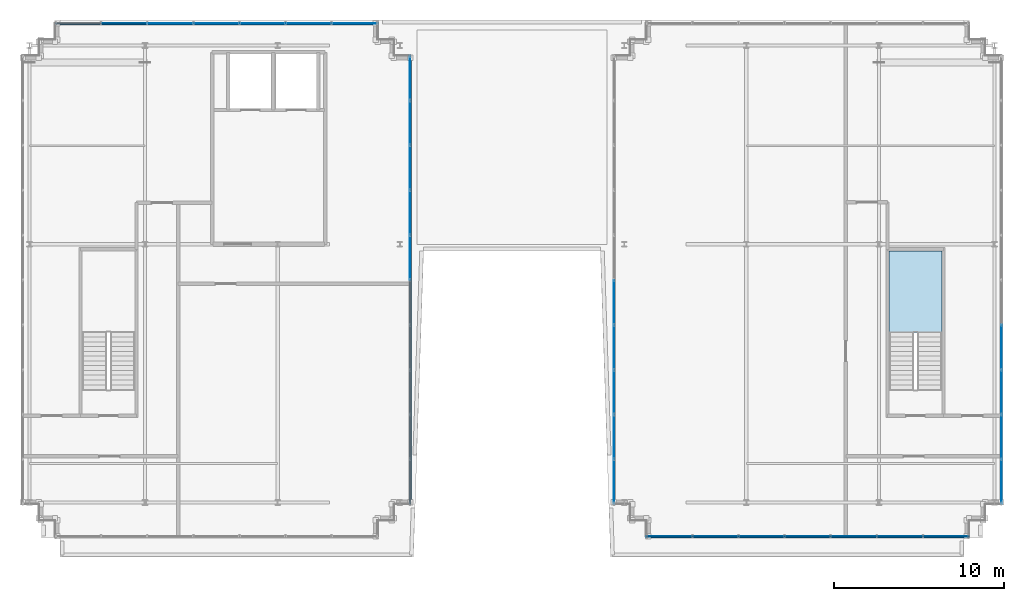
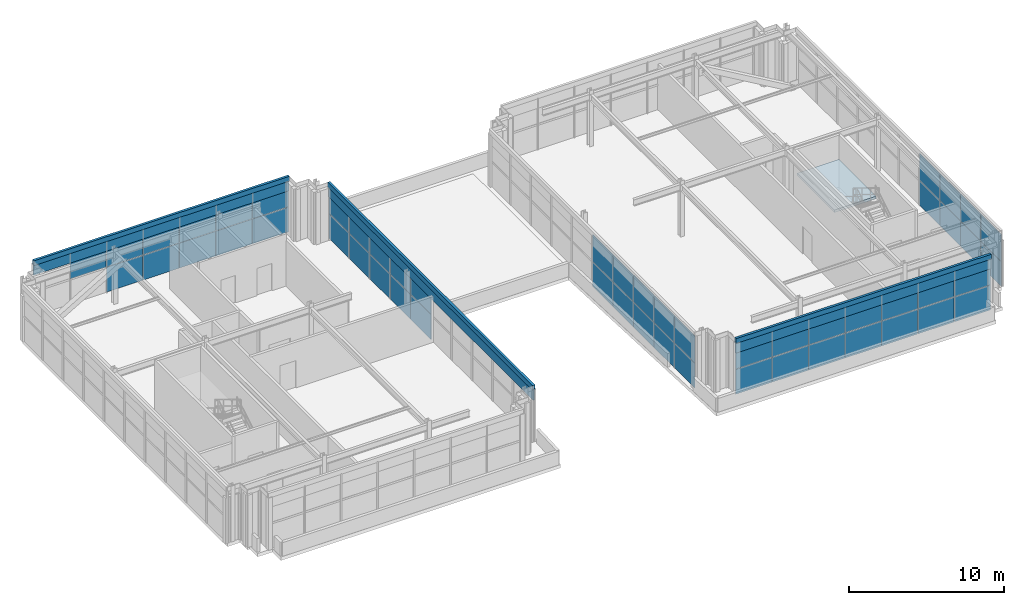
# One storey, part 24 of 31: 59 plates, 1 slab, 6 elements without a shape of their own.
"""IFC4 building model written with IfcOpenShell, lengths in metres."""

from ifc_helpers import new_model, si_unit, direction, frame, origin, origin_2d, place, context, subcontext, project, spatial, polyline, rectangle, outline, extrude, source, transform, mapped, material, layer, layer_set, type_object, element, aggregate, save


model = new_model("IFC4")

# Units and contexts
model_context = context("Model", 3, precision=1e-05, world=origin(), true_north=direction((0.0, 1.0)))
body_context = subcontext(model_context, "Body", "Model", "MODEL_VIEW")
ifc_project = project(units=[si_unit("LENGTHUNIT", "METRE"), si_unit("AREAUNIT", "SQUARE_METRE"), si_unit("VOLUMEUNIT", "CUBIC_METRE"), si_unit("PLANEANGLEUNIT", "RADIAN"), si_unit("MASSUNIT", "GRAM", prefix="KILO")], contexts=[model_context])

# Site, building, storey
site_placement = place(None, origin())
site = spatial("IfcSite", under=ifc_project, at=site_placement, CompositionType="ELEMENT")
building_placement = place(site_placement, origin())
building = spatial("IfcBuilding", under=site, at=building_placement, Name="Trelvane Seafront Commons", CompositionType="ELEMENT")
storey_placement = place(building_placement, frame((0.0, 0.0, 307.89990234375)))
storey = spatial("IfcBuildingStorey", under=building, at=storey_placement, Name="L80", CompositionType="ELEMENT", Elevation=307.89990234375)

# Stair, slab
ifc_material_1 = material(Name="Concrete C40/50", Category="concrete")
stair_type = type_object("IfcStairType", Name="ARCH-STR-ST-6-R26-169", PredefinedType="HALF_TURN_STAIR", material=ifc_material_1)
stair_placement = place(storey_placement, origin())
stair = element("IfcStair", 1, at=stair_placement, inside=storey, type_object=stair_type, Name="L80 Crown East Peak Enclosed Maintenance Exit Stair ST-6", PredefinedType="HALF_TURN_STAIR")
ifc_layer_1 = layer(ifc_material_1, 0.199951171875, Name="ARCH-LND-200")
ifc_layer_set_1 = layer_set([ifc_layer_1], Name="Concrete C40/50")
slab_type = type_object("IfcSlabType", Name="ARCH-LND-200", PredefinedType="LANDING", material=ifc_layer_set_1)
slab_placement = place(storey_placement, frame((0.0, 0.0, 2.0)))
slab = element("IfcSlab", 2, at=slab_placement, type_object=slab_type, Name="ST-6 landing 1", PredefinedType="LANDING", context=body_context, shape_type="SweptSolid", body=[
    extrude(outline(polyline([(62.5, 28.2099609375), (62.5, 33.0), (59.39990234375, 33.0), (59.39990234375, 28.2099609375), (62.5, 28.2099609375)])), origin(), (0.0, 0.0, 1.0), 0.2001953125),
])
aggregate(stair, [slab])

# Curtain wall, plates
ifc_material_2 = material(Name="Anodised pale-silver aluminium", Category="aluminium")
curtain_wall_type = type_object("IfcCurtainWallType", Name="ARCH-CW6-CROWN", PredefinedType="NOTDEFINED", material=ifc_material_2)
curtain_wall_1_placement = place(storey_placement, origin())
curtain_wall_1 = element("IfcCurtainWall", 3, at=curtain_wall_1_placement, inside=storey, type_object=curtain_wall_type, Name="CW-L80-0138", PredefinedType="NOTDEFINED")
ifc_material_3 = material(Name="Low-E coastal double glazing", Category="glass")
ifc_layer_2 = layer(ifc_material_3, 0.033935546875, Name="ARCH-CW-GLAZ-34")
ifc_layer_set_2 = layer_set([ifc_layer_2], Name="Low-E coastal double glazing")
plate_type_1 = type_object("IfcPlateType", Name="ARCH-CW-GLAZ-34", PredefinedType="CURTAIN_PANEL", material=ifc_layer_set_2)
shared_shape_1 = source(origin(), body_context, "Body", "SweptSolid", [
    extrude(rectangle(XDim=2.615966796875, YDim=0.031982421875, at=origin_2d()), origin(), (0.0, 0.0, 1.0), 1.949951171875),
])
plate_1_placement = place(storey_placement, frame((31.199951171875, 43.179931640625, 0.0), z_axis=(0.0, 0.0, 1.0), x_axis=(0.0, -1.0, 0.0)))
plate_1 = element("IfcPlate", 4, at=plate_1_placement, type_object=plate_type_1, Name="CW-L80-0138-P00-1", PredefinedType="CURTAIN_PANEL", context=body_context, shape_type="MappedRepresentation", body=[
    mapped(shared_shape_1, transform((0.0, 0.0, 0.0), x_axis=(1.0, 0.0, 0.0), y_axis=(0.0, 1.0, 0.0), z_axis=(0.0, 0.0, 1.0), scale=1.0)),
])
plate_2_placement = place(storey_placement, frame((31.199951171875, 40.5400390625, 0.0), z_axis=(0.0, 0.0, 1.0), x_axis=(0.0, -1.0, 0.0)))
plate_2 = element("IfcPlate", 5, at=plate_2_placement, type_object=plate_type_1, Name="CW-L80-0138-P01-1", PredefinedType="CURTAIN_PANEL", context=body_context, shape_type="MappedRepresentation", body=[
    mapped(shared_shape_1, transform((0.0, 0.0, 0.0), x_axis=(1.0, 0.0, 0.0), y_axis=(0.0, 1.0, 0.0), z_axis=(0.0, 0.0, 1.0), scale=1.0)),
])
plate_3_placement = place(storey_placement, frame((31.199951171875, 37.89990234375, 0.0), z_axis=(0.0, 0.0, 1.0), x_axis=(0.0, -1.0, 0.0)))
plate_3 = element("IfcPlate", 6, at=plate_3_placement, type_object=plate_type_1, Name="CW-L80-0138-P02-1", PredefinedType="CURTAIN_PANEL", context=body_context, shape_type="MappedRepresentation", body=[
    mapped(shared_shape_1, transform((0.0, 0.0, 0.0), x_axis=(1.0, 0.0, 0.0), y_axis=(0.0, 1.0, 0.0), z_axis=(0.0, 0.0, 1.0), scale=1.0)),
])
plate_4_placement = place(storey_placement, frame((31.199951171875, 35.260009765625, 0.0), z_axis=(0.0, 0.0, 1.0), x_axis=(0.0, -1.0, 0.0)))
plate_4 = element("IfcPlate", 7, at=plate_4_placement, type_object=plate_type_1, Name="CW-L80-0138-P03-1", PredefinedType="CURTAIN_PANEL", context=body_context, shape_type="MappedRepresentation", body=[
    mapped(shared_shape_1, transform((0.0, 0.0, 0.0), x_axis=(1.0, 0.0, 0.0), y_axis=(0.0, 1.0, 0.0), z_axis=(0.0, 0.0, 1.0), scale=1.0)),
])
plate_5_placement = place(storey_placement, frame((31.199951171875, 32.6201171875, 0.0), z_axis=(0.0, 0.0, 1.0), x_axis=(0.0, -1.0, 0.0)))
plate_5 = element("IfcPlate", 8, at=plate_5_placement, type_object=plate_type_1, Name="CW-L80-0138-P04-1", PredefinedType="CURTAIN_PANEL", context=body_context, shape_type="MappedRepresentation", body=[
    mapped(shared_shape_1, transform((0.0, 0.0, 0.0), x_axis=(1.0, 0.0, 0.0), y_axis=(0.0, 1.0, 0.0), z_axis=(0.0, 0.0, 1.0), scale=1.0)),
])

curtain_wall_2_placement = place(storey_placement, origin())
curtain_wall_2 = element("IfcCurtainWall", 9, at=curtain_wall_2_placement, inside=storey, type_object=curtain_wall_type, Name="CW-L80-0140", PredefinedType="NOTDEFINED")
plate_6_placement = place(storey_placement, frame((43.199951171875, 19.419921875, 0.0), z_axis=(0.0, 0.0, 1.0), x_axis=(0.0, 1.0, 0.0)))
plate_6 = element("IfcPlate", 10, at=plate_6_placement, type_object=plate_type_1, Name="CW-L80-0140-P00-1", PredefinedType="CURTAIN_PANEL", context=body_context, shape_type="MappedRepresentation", body=[
    mapped(shared_shape_1, transform((0.0, 0.0, 0.0), x_axis=(1.0, 0.0, 0.0), y_axis=(0.0, 1.0, 0.0), z_axis=(0.0, 0.0, 1.0), scale=1.0)),
])
plate_7_placement = place(storey_placement, frame((43.199951171875, 22.06005859375, 0.0), z_axis=(0.0, 0.0, 1.0), x_axis=(0.0, 1.0, 0.0)))
plate_7 = element("IfcPlate", 11, at=plate_7_placement, type_object=plate_type_1, Name="CW-L80-0140-P01-1", PredefinedType="CURTAIN_PANEL", context=body_context, shape_type="MappedRepresentation", body=[
    mapped(shared_shape_1, transform((0.0, 0.0, 0.0), x_axis=(1.0, 0.0, 0.0), y_axis=(0.0, 1.0, 0.0), z_axis=(0.0, 0.0, 1.0), scale=1.0)),
])
plate_8_placement = place(storey_placement, frame((43.199951171875, 24.699951171875, 0.0), z_axis=(0.0, 0.0, 1.0), x_axis=(0.0, 1.0, 0.0)))
plate_8 = element("IfcPlate", 12, at=plate_8_placement, type_object=plate_type_1, Name="CW-L80-0140-P02-1", PredefinedType="CURTAIN_PANEL", context=body_context, shape_type="MappedRepresentation", body=[
    mapped(shared_shape_1, transform((0.0, 0.0, 0.0), x_axis=(1.0, 0.0, 0.0), y_axis=(0.0, 1.0, 0.0), z_axis=(0.0, 0.0, 1.0), scale=1.0)),
])
plate_9_placement = place(storey_placement, frame((43.199951171875, 27.340087890625, 0.0), z_axis=(0.0, 0.0, 1.0), x_axis=(0.0, 1.0, 0.0)))
plate_9 = element("IfcPlate", 13, at=plate_9_placement, type_object=plate_type_1, Name="CW-L80-0140-P03-1", PredefinedType="CURTAIN_PANEL", context=body_context, shape_type="MappedRepresentation", body=[
    mapped(shared_shape_1, transform((0.0, 0.0, 0.0), x_axis=(1.0, 0.0, 0.0), y_axis=(0.0, 1.0, 0.0), z_axis=(0.0, 0.0, 1.0), scale=1.0)),
])
plate_10_placement = place(storey_placement, frame((43.199951171875, 29.97998046875, 0.0), z_axis=(0.0, 0.0, 1.0), x_axis=(0.0, 1.0, 0.0)))
plate_10 = element("IfcPlate", 14, at=plate_10_placement, type_object=plate_type_1, Name="CW-L80-0140-P04-1", PredefinedType="CURTAIN_PANEL", context=body_context, shape_type="MappedRepresentation", body=[
    mapped(shared_shape_1, transform((0.0, 0.0, 0.0), x_axis=(1.0, 0.0, 0.0), y_axis=(0.0, 1.0, 0.0), z_axis=(0.0, 0.0, 1.0), scale=1.0)),
])

curtain_wall_3_placement = place(storey_placement, origin())
curtain_wall_3 = element("IfcCurtainWall", 15, at=curtain_wall_3_placement, inside=storey, type_object=curtain_wall_type, Name="CW-L80-0142", PredefinedType="NOTDEFINED")
plate_11_placement = place(storey_placement, frame((66.0, 27.340087890625, 0.0), z_axis=(0.0, 0.0, 1.0), x_axis=(0.0, -1.0, 0.0)))
plate_11 = element("IfcPlate", 16, at=plate_11_placement, type_object=plate_type_1, Name="CW-L80-0142-P06-1", PredefinedType="CURTAIN_PANEL", context=body_context, shape_type="MappedRepresentation", body=[
    mapped(shared_shape_1, transform((0.0, 0.0, 0.0), x_axis=(1.0, 0.0, 0.0), y_axis=(0.0, 1.0, 0.0), z_axis=(0.0, 0.0, 1.0), scale=1.0)),
])
plate_12_placement = place(storey_placement, frame((66.0, 24.699951171875, 0.0), z_axis=(0.0, 0.0, 1.0), x_axis=(0.0, -1.0, 0.0)))
plate_12 = element("IfcPlate", 17, at=plate_12_placement, type_object=plate_type_1, Name="CW-L80-0142-P07-1", PredefinedType="CURTAIN_PANEL", context=body_context, shape_type="MappedRepresentation", body=[
    mapped(shared_shape_1, transform((0.0, 0.0, 0.0), x_axis=(1.0, 0.0, 0.0), y_axis=(0.0, 1.0, 0.0), z_axis=(0.0, 0.0, 1.0), scale=1.0)),
])
plate_13_placement = place(storey_placement, frame((66.0, 22.06005859375, 0.0), z_axis=(0.0, 0.0, 1.0), x_axis=(0.0, -1.0, 0.0)))
plate_13 = element("IfcPlate", 18, at=plate_13_placement, type_object=plate_type_1, Name="CW-L80-0142-P08-1", PredefinedType="CURTAIN_PANEL", context=body_context, shape_type="MappedRepresentation", body=[
    mapped(shared_shape_1, transform((0.0, 0.0, 0.0), x_axis=(1.0, 0.0, 0.0), y_axis=(0.0, 1.0, 0.0), z_axis=(0.0, 0.0, 1.0), scale=1.0)),
])
plate_14_placement = place(storey_placement, frame((66.0, 19.419921875, 0.0), z_axis=(0.0, 0.0, 1.0), x_axis=(0.0, -1.0, 0.0)))
plate_14 = element("IfcPlate", 19, at=plate_14_placement, type_object=plate_type_1, Name="CW-L80-0142-P09-1", PredefinedType="CURTAIN_PANEL", context=body_context, shape_type="MappedRepresentation", body=[
    mapped(shared_shape_1, transform((0.0, 0.0, 0.0), x_axis=(1.0, 0.0, 0.0), y_axis=(0.0, 1.0, 0.0), z_axis=(0.0, 0.0, 1.0), scale=1.0)),
])

# Plate
shared_shape_2 = source(origin(), body_context, "Body", "SweptSolid", [
    extrude(rectangle(XDim=2.615966796875, YDim=0.031982421875, at=origin_2d()), origin(), (0.0, 0.0, 1.0), 2.114013671875),
])
plate_15_placement = place(storey_placement, frame((31.199951171875, 43.179931640625, 1.986328125), z_axis=(0.0, 0.0, 1.0), x_axis=(0.0, -1.0, 0.0)))
plate_15 = element("IfcPlate", 20, at=plate_15_placement, type_object=plate_type_1, Name="CW-L80-0138-P00-2", PredefinedType="CURTAIN_PANEL", context=body_context, shape_type="MappedRepresentation", body=[
    mapped(shared_shape_2, transform((0.0, 0.0, 0.0), x_axis=(1.0, 0.0, 0.0), y_axis=(0.0, 1.0, 0.0), z_axis=(0.0, 0.0, 1.0), scale=1.0)),
])

plate_16_placement = place(storey_placement, frame((31.199951171875, 40.5400390625, 1.986328125), z_axis=(0.0, 0.0, 1.0), x_axis=(0.0, -1.0, 0.0)))
plate_16 = element("IfcPlate", 21, at=plate_16_placement, type_object=plate_type_1, Name="CW-L80-0138-P01-2", PredefinedType="CURTAIN_PANEL", context=body_context, shape_type="MappedRepresentation", body=[
    mapped(shared_shape_2, transform((0.0, 0.0, 0.0), x_axis=(1.0, 0.0, 0.0), y_axis=(0.0, 1.0, 0.0), z_axis=(0.0, 0.0, 1.0), scale=1.0)),
])

plate_17_placement = place(storey_placement, frame((31.199951171875, 37.89990234375, 1.986328125), z_axis=(0.0, 0.0, 1.0), x_axis=(0.0, -1.0, 0.0)))
plate_17 = element("IfcPlate", 22, at=plate_17_placement, type_object=plate_type_1, Name="CW-L80-0138-P02-2", PredefinedType="CURTAIN_PANEL", context=body_context, shape_type="MappedRepresentation", body=[
    mapped(shared_shape_2, transform((0.0, 0.0, 0.0), x_axis=(1.0, 0.0, 0.0), y_axis=(0.0, 1.0, 0.0), z_axis=(0.0, 0.0, 1.0), scale=1.0)),
])

plate_18_placement = place(storey_placement, frame((31.199951171875, 35.260009765625, 1.986328125), z_axis=(0.0, 0.0, 1.0), x_axis=(0.0, -1.0, 0.0)))
plate_18 = element("IfcPlate", 23, at=plate_18_placement, type_object=plate_type_1, Name="CW-L80-0138-P03-2", PredefinedType="CURTAIN_PANEL", context=body_context, shape_type="MappedRepresentation", body=[
    mapped(shared_shape_2, transform((0.0, 0.0, 0.0), x_axis=(1.0, 0.0, 0.0), y_axis=(0.0, 1.0, 0.0), z_axis=(0.0, 0.0, 1.0), scale=1.0)),
])

plate_19_placement = place(storey_placement, frame((31.199951171875, 32.6201171875, 1.986328125), z_axis=(0.0, 0.0, 1.0), x_axis=(0.0, -1.0, 0.0)))
plate_19 = element("IfcPlate", 24, at=plate_19_placement, type_object=plate_type_1, Name="CW-L80-0138-P04-2", PredefinedType="CURTAIN_PANEL", context=body_context, shape_type="MappedRepresentation", body=[
    mapped(shared_shape_2, transform((0.0, 0.0, 0.0), x_axis=(1.0, 0.0, 0.0), y_axis=(0.0, 1.0, 0.0), z_axis=(0.0, 0.0, 1.0), scale=1.0)),
])

aggregate(curtain_wall_1, [plate_1, plate_15, plate_2, plate_16, plate_3, plate_17, plate_4, plate_18, plate_5, plate_19])

plate_20_placement = place(storey_placement, frame((43.199951171875, 19.419921875, 1.986328125), z_axis=(0.0, 0.0, 1.0), x_axis=(0.0, 1.0, 0.0)))
plate_20 = element("IfcPlate", 25, at=plate_20_placement, type_object=plate_type_1, Name="CW-L80-0140-P00-2", PredefinedType="CURTAIN_PANEL", context=body_context, shape_type="MappedRepresentation", body=[
    mapped(shared_shape_2, transform((0.0, 0.0, 0.0), x_axis=(1.0, 0.0, 0.0), y_axis=(0.0, 1.0, 0.0), z_axis=(0.0, 0.0, 1.0), scale=1.0)),
])

plate_21_placement = place(storey_placement, frame((43.199951171875, 22.06005859375, 1.986328125), z_axis=(0.0, 0.0, 1.0), x_axis=(0.0, 1.0, 0.0)))
plate_21 = element("IfcPlate", 26, at=plate_21_placement, type_object=plate_type_1, Name="CW-L80-0140-P01-2", PredefinedType="CURTAIN_PANEL", context=body_context, shape_type="MappedRepresentation", body=[
    mapped(shared_shape_2, transform((0.0, 0.0, 0.0), x_axis=(1.0, 0.0, 0.0), y_axis=(0.0, 1.0, 0.0), z_axis=(0.0, 0.0, 1.0), scale=1.0)),
])

plate_22_placement = place(storey_placement, frame((43.199951171875, 24.699951171875, 1.986328125), z_axis=(0.0, 0.0, 1.0), x_axis=(0.0, 1.0, 0.0)))
plate_22 = element("IfcPlate", 27, at=plate_22_placement, type_object=plate_type_1, Name="CW-L80-0140-P02-2", PredefinedType="CURTAIN_PANEL", context=body_context, shape_type="MappedRepresentation", body=[
    mapped(shared_shape_2, transform((0.0, 0.0, 0.0), x_axis=(1.0, 0.0, 0.0), y_axis=(0.0, 1.0, 0.0), z_axis=(0.0, 0.0, 1.0), scale=1.0)),
])

plate_23_placement = place(storey_placement, frame((43.199951171875, 27.340087890625, 1.986328125), z_axis=(0.0, 0.0, 1.0), x_axis=(0.0, 1.0, 0.0)))
plate_23 = element("IfcPlate", 28, at=plate_23_placement, type_object=plate_type_1, Name="CW-L80-0140-P03-2", PredefinedType="CURTAIN_PANEL", context=body_context, shape_type="MappedRepresentation", body=[
    mapped(shared_shape_2, transform((0.0, 0.0, 0.0), x_axis=(1.0, 0.0, 0.0), y_axis=(0.0, 1.0, 0.0), z_axis=(0.0, 0.0, 1.0), scale=1.0)),
])

plate_24_placement = place(storey_placement, frame((43.199951171875, 29.97998046875, 1.986328125), z_axis=(0.0, 0.0, 1.0), x_axis=(0.0, 1.0, 0.0)))
plate_24 = element("IfcPlate", 29, at=plate_24_placement, type_object=plate_type_1, Name="CW-L80-0140-P04-2", PredefinedType="CURTAIN_PANEL", context=body_context, shape_type="MappedRepresentation", body=[
    mapped(shared_shape_2, transform((0.0, 0.0, 0.0), x_axis=(1.0, 0.0, 0.0), y_axis=(0.0, 1.0, 0.0), z_axis=(0.0, 0.0, 1.0), scale=1.0)),
])

aggregate(curtain_wall_2, [plate_6, plate_20, plate_7, plate_21, plate_8, plate_22, plate_9, plate_23, plate_10, plate_24])

plate_25_placement = place(storey_placement, frame((66.0, 27.340087890625, 1.986328125), z_axis=(0.0, 0.0, 1.0), x_axis=(0.0, -1.0, 0.0)))
plate_25 = element("IfcPlate", 30, at=plate_25_placement, type_object=plate_type_1, Name="CW-L80-0142-P06-2", PredefinedType="CURTAIN_PANEL", context=body_context, shape_type="MappedRepresentation", body=[
    mapped(shared_shape_2, transform((0.0, 0.0, 0.0), x_axis=(1.0, 0.0, 0.0), y_axis=(0.0, 1.0, 0.0), z_axis=(0.0, 0.0, 1.0), scale=1.0)),
])

plate_26_placement = place(storey_placement, frame((66.0, 24.699951171875, 1.986328125), z_axis=(0.0, 0.0, 1.0), x_axis=(0.0, -1.0, 0.0)))
plate_26 = element("IfcPlate", 31, at=plate_26_placement, type_object=plate_type_1, Name="CW-L80-0142-P07-2", PredefinedType="CURTAIN_PANEL", context=body_context, shape_type="MappedRepresentation", body=[
    mapped(shared_shape_2, transform((0.0, 0.0, 0.0), x_axis=(1.0, 0.0, 0.0), y_axis=(0.0, 1.0, 0.0), z_axis=(0.0, 0.0, 1.0), scale=1.0)),
])

plate_27_placement = place(storey_placement, frame((66.0, 22.06005859375, 1.986328125), z_axis=(0.0, 0.0, 1.0), x_axis=(0.0, -1.0, 0.0)))
plate_27 = element("IfcPlate", 32, at=plate_27_placement, type_object=plate_type_1, Name="CW-L80-0142-P08-2", PredefinedType="CURTAIN_PANEL", context=body_context, shape_type="MappedRepresentation", body=[
    mapped(shared_shape_2, transform((0.0, 0.0, 0.0), x_axis=(1.0, 0.0, 0.0), y_axis=(0.0, 1.0, 0.0), z_axis=(0.0, 0.0, 1.0), scale=1.0)),
])

plate_28_placement = place(storey_placement, frame((66.0, 19.419921875, 1.986328125), z_axis=(0.0, 0.0, 1.0), x_axis=(0.0, -1.0, 0.0)))
plate_28 = element("IfcPlate", 33, at=plate_28_placement, type_object=plate_type_1, Name="CW-L80-0142-P09-2", PredefinedType="CURTAIN_PANEL", context=body_context, shape_type="MappedRepresentation", body=[
    mapped(shared_shape_2, transform((0.0, 0.0, 0.0), x_axis=(1.0, 0.0, 0.0), y_axis=(0.0, 1.0, 0.0), z_axis=(0.0, 0.0, 1.0), scale=1.0)),
])

aggregate(curtain_wall_3, [plate_11, plate_25, plate_12, plate_26, plate_13, plate_27, plate_14, plate_28])

# Plates
ifc_layer_3 = layer(ifc_material_2, 0.080078125, Name="ARCH-PLATE-LOUVRE")
ifc_layer_set_3 = layer_set([ifc_layer_3], Name="Anodised pale-silver aluminium")
plate_type_2 = type_object("IfcPlateType", Name="ARCH-PLATE-LOUVRE", PredefinedType="USERDEFINED", material=ifc_layer_set_3)
shared_shape_3 = source(origin(), body_context, "Body", "SweptSolid", [
    extrude(rectangle(XDim=26.39990234375, YDim=0.080078125, at=origin_2d()), origin(), (0.0, 0.0, 1.0), 0.889892578125),
])
plate_29_placement = place(storey_placement, frame((31.199951171875, 31.300048828125, 3.25), z_axis=(0.0, 0.0, 1.0), x_axis=(0.0, -1.0, 0.0)))
element("IfcPlate", 34, at=plate_29_placement, inside=storey, type_object=plate_type_2, Name="LOU-L80-027", ObjectType="LOUVRE", PredefinedType="USERDEFINED", context=body_context, shape_type="MappedRepresentation", body=[
    mapped(shared_shape_3, transform((0.0, 0.0, 0.0), x_axis=(1.0, 0.0, 0.0), y_axis=(0.0, 1.0, 0.0), z_axis=(0.0, 0.0, 1.0), scale=1.0)),
])
ifc_layer_4 = layer(ifc_material_2, 0.179931640625, Name="ARCH-PLATE-AERO")
ifc_layer_set_4 = layer_set([ifc_layer_4], Name="Anodised pale-silver aluminium")
plate_type_3 = type_object("IfcPlateType", Name="ARCH-PLATE-AERO", PredefinedType="SHEET", material=ifc_layer_set_4)
shared_shape_4 = source(origin(), body_context, "Body", "SweptSolid", [
    extrude(rectangle(XDim=26.39990234375, YDim=0.179931640625, at=origin_2d()), origin(), (0.0, 0.0, 1.0), 0.3798828125),
])
plate_30_placement = place(storey_placement, frame((31.199951171875, 31.300048828125, 4.0400390625), z_axis=(0.0, 0.0, 1.0), x_axis=(0.0, -1.0, 0.0)))
element("IfcPlate", 35, at=plate_30_placement, inside=storey, type_object=plate_type_3, Name="AER-L80-00284", PredefinedType="SHEET", context=body_context, shape_type="MappedRepresentation", body=[
    mapped(shared_shape_4, transform((0.0, 0.0, 0.0), x_axis=(1.0, 0.0, 0.0), y_axis=(0.0, 1.0, 0.0), z_axis=(0.0, 0.0, 1.0), scale=1.0)),
])

# Curtain wall, plates
curtain_wall_4_placement = place(storey_placement, origin())
curtain_wall_4 = element("IfcCurtainWall", 36, at=curtain_wall_4_placement, inside=storey, type_object=curtain_wall_type, Name="CW-L80-0137", PredefinedType="NOTDEFINED")
shared_shape_5 = source(origin(), body_context, "Body", "SweptSolid", [
    extrude(rectangle(XDim=2.690185546875, YDim=0.031982421875, at=origin_2d()), origin(), (0.0, 0.0, 1.0), 1.949951171875),
])
plate_31_placement = place(storey_placement, frame((17.085693359375, 46.39990234375, 0.0), z_axis=(0.0, 0.0, 1.0), x_axis=(1.0, 0.0, 0.0)))
plate_31 = element("IfcPlate", 37, at=plate_31_placement, type_object=plate_type_1, Name="CW-L80-0137-P02-1", PredefinedType="CURTAIN_PANEL", context=body_context, shape_type="MappedRepresentation", body=[
    mapped(shared_shape_5, transform((0.0, 0.0, 0.0), x_axis=(1.0, 0.0, 0.0), y_axis=(0.0, 1.0, 0.0), z_axis=(0.0, 0.0, 1.0), scale=1.0)),
])
plate_32_placement = place(storey_placement, frame((19.800048828125, 46.39990234375, 0.0), z_axis=(0.0, 0.0, 1.0), x_axis=(1.0, 0.0, 0.0)))
plate_32 = element("IfcPlate", 38, at=plate_32_placement, type_object=plate_type_1, Name="CW-L80-0137-P03-1", PredefinedType="CURTAIN_PANEL", context=body_context, shape_type="MappedRepresentation", body=[
    mapped(shared_shape_5, transform((0.0, 0.0, 0.0), x_axis=(1.0, 0.0, 0.0), y_axis=(0.0, 1.0, 0.0), z_axis=(0.0, 0.0, 1.0), scale=1.0)),
])
plate_33_placement = place(storey_placement, frame((22.514404296875, 46.39990234375, 0.0), z_axis=(0.0, 0.0, 1.0), x_axis=(1.0, 0.0, 0.0)))
plate_33 = element("IfcPlate", 39, at=plate_33_placement, type_object=plate_type_1, Name="CW-L80-0137-P04-1", PredefinedType="CURTAIN_PANEL", context=body_context, shape_type="MappedRepresentation", body=[
    mapped(shared_shape_5, transform((0.0, 0.0, 0.0), x_axis=(1.0, 0.0, 0.0), y_axis=(0.0, 1.0, 0.0), z_axis=(0.0, 0.0, 1.0), scale=1.0)),
])
plate_34_placement = place(storey_placement, frame((25.228515625, 46.39990234375, 0.0), z_axis=(0.0, 0.0, 1.0), x_axis=(1.0, 0.0, 0.0)))
plate_34 = element("IfcPlate", 40, at=plate_34_placement, type_object=plate_type_1, Name="CW-L80-0137-P05-1", PredefinedType="CURTAIN_PANEL", context=body_context, shape_type="MappedRepresentation", body=[
    mapped(shared_shape_5, transform((0.0, 0.0, 0.0), x_axis=(1.0, 0.0, 0.0), y_axis=(0.0, 1.0, 0.0), z_axis=(0.0, 0.0, 1.0), scale=1.0)),
])
plate_35_placement = place(storey_placement, frame((27.94287109375, 46.39990234375, 0.0), z_axis=(0.0, 0.0, 1.0), x_axis=(1.0, 0.0, 0.0)))
plate_35 = element("IfcPlate", 41, at=plate_35_placement, type_object=plate_type_1, Name="CW-L80-0137-P06-1", PredefinedType="CURTAIN_PANEL", context=body_context, shape_type="MappedRepresentation", body=[
    mapped(shared_shape_5, transform((0.0, 0.0, 0.0), x_axis=(1.0, 0.0, 0.0), y_axis=(0.0, 1.0, 0.0), z_axis=(0.0, 0.0, 1.0), scale=1.0)),
])

curtain_wall_5_placement = place(storey_placement, origin())
curtain_wall_5 = element("IfcCurtainWall", 42, at=curtain_wall_5_placement, inside=storey, type_object=curtain_wall_type, Name="CW-L80-0143", PredefinedType="NOTDEFINED")
plate_36_placement = place(storey_placement, frame((62.742919921875, 16.199951171875, 0.0), z_axis=(0.0, 0.0, 1.0), x_axis=(-1.0, 0.0, 0.0)))
plate_36 = element("IfcPlate", 43, at=plate_36_placement, type_object=plate_type_1, Name="CW-L80-0143-P00-1", PredefinedType="CURTAIN_PANEL", context=body_context, shape_type="MappedRepresentation", body=[
    mapped(shared_shape_5, transform((0.0, 0.0, 0.0), x_axis=(1.0, 0.0, 0.0), y_axis=(0.0, 1.0, 0.0), z_axis=(0.0, 0.0, 1.0), scale=1.0)),
])
plate_37_placement = place(storey_placement, frame((60.028564453125, 16.199951171875, 0.0), z_axis=(0.0, 0.0, 1.0), x_axis=(-1.0, 0.0, 0.0)))
plate_37 = element("IfcPlate", 44, at=plate_37_placement, type_object=plate_type_1, Name="CW-L80-0143-P01-1", PredefinedType="CURTAIN_PANEL", context=body_context, shape_type="MappedRepresentation", body=[
    mapped(shared_shape_5, transform((0.0, 0.0, 0.0), x_axis=(1.0, 0.0, 0.0), y_axis=(0.0, 1.0, 0.0), z_axis=(0.0, 0.0, 1.0), scale=1.0)),
])
plate_38_placement = place(storey_placement, frame((57.314208984375, 16.199951171875, 0.0), z_axis=(0.0, 0.0, 1.0), x_axis=(-1.0, 0.0, 0.0)))
plate_38 = element("IfcPlate", 45, at=plate_38_placement, type_object=plate_type_1, Name="CW-L80-0143-P02-1", PredefinedType="CURTAIN_PANEL", context=body_context, shape_type="MappedRepresentation", body=[
    mapped(shared_shape_5, transform((0.0, 0.0, 0.0), x_axis=(1.0, 0.0, 0.0), y_axis=(0.0, 1.0, 0.0), z_axis=(0.0, 0.0, 1.0), scale=1.0)),
])
plate_39_placement = place(storey_placement, frame((54.60009765625, 16.199951171875, 0.0), z_axis=(0.0, 0.0, 1.0), x_axis=(-1.0, 0.0, 0.0)))
plate_39 = element("IfcPlate", 46, at=plate_39_placement, type_object=plate_type_1, Name="CW-L80-0143-P03-1", PredefinedType="CURTAIN_PANEL", context=body_context, shape_type="MappedRepresentation", body=[
    mapped(shared_shape_5, transform((0.0, 0.0, 0.0), x_axis=(1.0, 0.0, 0.0), y_axis=(0.0, 1.0, 0.0), z_axis=(0.0, 0.0, 1.0), scale=1.0)),
])
plate_40_placement = place(storey_placement, frame((51.8857421875, 16.199951171875, 0.0), z_axis=(0.0, 0.0, 1.0), x_axis=(-1.0, 0.0, 0.0)))
plate_40 = element("IfcPlate", 47, at=plate_40_placement, type_object=plate_type_1, Name="CW-L80-0143-P04-1", PredefinedType="CURTAIN_PANEL", context=body_context, shape_type="MappedRepresentation", body=[
    mapped(shared_shape_5, transform((0.0, 0.0, 0.0), x_axis=(1.0, 0.0, 0.0), y_axis=(0.0, 1.0, 0.0), z_axis=(0.0, 0.0, 1.0), scale=1.0)),
])
plate_41_placement = place(storey_placement, frame((49.17138671875, 16.199951171875, 0.0), z_axis=(0.0, 0.0, 1.0), x_axis=(-1.0, 0.0, 0.0)))
plate_41 = element("IfcPlate", 48, at=plate_41_placement, type_object=plate_type_1, Name="CW-L80-0143-P05-1", PredefinedType="CURTAIN_PANEL", context=body_context, shape_type="MappedRepresentation", body=[
    mapped(shared_shape_5, transform((0.0, 0.0, 0.0), x_axis=(1.0, 0.0, 0.0), y_axis=(0.0, 1.0, 0.0), z_axis=(0.0, 0.0, 1.0), scale=1.0)),
])
plate_42_placement = place(storey_placement, frame((46.45703125, 16.199951171875, 0.0), z_axis=(0.0, 0.0, 1.0), x_axis=(-1.0, 0.0, 0.0)))
plate_42 = element("IfcPlate", 49, at=plate_42_placement, type_object=plate_type_1, Name="CW-L80-0143-P06-1", PredefinedType="CURTAIN_PANEL", context=body_context, shape_type="MappedRepresentation", body=[
    mapped(shared_shape_5, transform((0.0, 0.0, 0.0), x_axis=(1.0, 0.0, 0.0), y_axis=(0.0, 1.0, 0.0), z_axis=(0.0, 0.0, 1.0), scale=1.0)),
])

# Plate
shared_shape_6 = source(origin(), body_context, "Body", "SweptSolid", [
    extrude(rectangle(XDim=2.690185546875, YDim=0.031982421875, at=origin_2d()), origin(), (0.0, 0.0, 1.0), 2.114013671875),
])
plate_43_placement = place(storey_placement, frame((14.371337890625, 46.39990234375, 1.986328125), z_axis=(0.0, 0.0, 1.0), x_axis=(1.0, 0.0, 0.0)))
plate_43 = element("IfcPlate", 50, at=plate_43_placement, type_object=plate_type_1, Name="CW-L80-0137-P01-2", PredefinedType="CURTAIN_PANEL", context=body_context, shape_type="MappedRepresentation", body=[
    mapped(shared_shape_6, transform((0.0, 0.0, 0.0), x_axis=(1.0, 0.0, 0.0), y_axis=(0.0, 1.0, 0.0), z_axis=(0.0, 0.0, 1.0), scale=1.0)),
])

plate_44_placement = place(storey_placement, frame((17.085693359375, 46.39990234375, 1.986328125), z_axis=(0.0, 0.0, 1.0), x_axis=(1.0, 0.0, 0.0)))
plate_44 = element("IfcPlate", 51, at=plate_44_placement, type_object=plate_type_1, Name="CW-L80-0137-P02-2", PredefinedType="CURTAIN_PANEL", context=body_context, shape_type="MappedRepresentation", body=[
    mapped(shared_shape_6, transform((0.0, 0.0, 0.0), x_axis=(1.0, 0.0, 0.0), y_axis=(0.0, 1.0, 0.0), z_axis=(0.0, 0.0, 1.0), scale=1.0)),
])

plate_45_placement = place(storey_placement, frame((19.800048828125, 46.39990234375, 1.986328125), z_axis=(0.0, 0.0, 1.0), x_axis=(1.0, 0.0, 0.0)))
plate_45 = element("IfcPlate", 52, at=plate_45_placement, type_object=plate_type_1, Name="CW-L80-0137-P03-2", PredefinedType="CURTAIN_PANEL", context=body_context, shape_type="MappedRepresentation", body=[
    mapped(shared_shape_6, transform((0.0, 0.0, 0.0), x_axis=(1.0, 0.0, 0.0), y_axis=(0.0, 1.0, 0.0), z_axis=(0.0, 0.0, 1.0), scale=1.0)),
])

plate_46_placement = place(storey_placement, frame((22.514404296875, 46.39990234375, 1.986328125), z_axis=(0.0, 0.0, 1.0), x_axis=(1.0, 0.0, 0.0)))
plate_46 = element("IfcPlate", 53, at=plate_46_placement, type_object=plate_type_1, Name="CW-L80-0137-P04-2", PredefinedType="CURTAIN_PANEL", context=body_context, shape_type="MappedRepresentation", body=[
    mapped(shared_shape_6, transform((0.0, 0.0, 0.0), x_axis=(1.0, 0.0, 0.0), y_axis=(0.0, 1.0, 0.0), z_axis=(0.0, 0.0, 1.0), scale=1.0)),
])

plate_47_placement = place(storey_placement, frame((25.228515625, 46.39990234375, 1.986328125), z_axis=(0.0, 0.0, 1.0), x_axis=(1.0, 0.0, 0.0)))
plate_47 = element("IfcPlate", 54, at=plate_47_placement, type_object=plate_type_1, Name="CW-L80-0137-P05-2", PredefinedType="CURTAIN_PANEL", context=body_context, shape_type="MappedRepresentation", body=[
    mapped(shared_shape_6, transform((0.0, 0.0, 0.0), x_axis=(1.0, 0.0, 0.0), y_axis=(0.0, 1.0, 0.0), z_axis=(0.0, 0.0, 1.0), scale=1.0)),
])

plate_48_placement = place(storey_placement, frame((27.94287109375, 46.39990234375, 1.986328125), z_axis=(0.0, 0.0, 1.0), x_axis=(1.0, 0.0, 0.0)))
plate_48 = element("IfcPlate", 55, at=plate_48_placement, type_object=plate_type_1, Name="CW-L80-0137-P06-2", PredefinedType="CURTAIN_PANEL", context=body_context, shape_type="MappedRepresentation", body=[
    mapped(shared_shape_6, transform((0.0, 0.0, 0.0), x_axis=(1.0, 0.0, 0.0), y_axis=(0.0, 1.0, 0.0), z_axis=(0.0, 0.0, 1.0), scale=1.0)),
])

aggregate(curtain_wall_4, [plate_43, plate_31, plate_44, plate_32, plate_45, plate_33, plate_46, plate_34, plate_47, plate_35, plate_48])

plate_49_placement = place(storey_placement, frame((62.742919921875, 16.199951171875, 1.986328125), z_axis=(0.0, 0.0, 1.0), x_axis=(-1.0, 0.0, 0.0)))
plate_49 = element("IfcPlate", 56, at=plate_49_placement, type_object=plate_type_1, Name="CW-L80-0143-P00-2", PredefinedType="CURTAIN_PANEL", context=body_context, shape_type="MappedRepresentation", body=[
    mapped(shared_shape_6, transform((0.0, 0.0, 0.0), x_axis=(1.0, 0.0, 0.0), y_axis=(0.0, 1.0, 0.0), z_axis=(0.0, 0.0, 1.0), scale=1.0)),
])

plate_50_placement = place(storey_placement, frame((60.028564453125, 16.199951171875, 1.986328125), z_axis=(0.0, 0.0, 1.0), x_axis=(-1.0, 0.0, 0.0)))
plate_50 = element("IfcPlate", 57, at=plate_50_placement, type_object=plate_type_1, Name="CW-L80-0143-P01-2", PredefinedType="CURTAIN_PANEL", context=body_context, shape_type="MappedRepresentation", body=[
    mapped(shared_shape_6, transform((0.0, 0.0, 0.0), x_axis=(1.0, 0.0, 0.0), y_axis=(0.0, 1.0, 0.0), z_axis=(0.0, 0.0, 1.0), scale=1.0)),
])

plate_51_placement = place(storey_placement, frame((57.314208984375, 16.199951171875, 1.986328125), z_axis=(0.0, 0.0, 1.0), x_axis=(-1.0, 0.0, 0.0)))
plate_51 = element("IfcPlate", 58, at=plate_51_placement, type_object=plate_type_1, Name="CW-L80-0143-P02-2", PredefinedType="CURTAIN_PANEL", context=body_context, shape_type="MappedRepresentation", body=[
    mapped(shared_shape_6, transform((0.0, 0.0, 0.0), x_axis=(1.0, 0.0, 0.0), y_axis=(0.0, 1.0, 0.0), z_axis=(0.0, 0.0, 1.0), scale=1.0)),
])

plate_52_placement = place(storey_placement, frame((54.60009765625, 16.199951171875, 1.986328125), z_axis=(0.0, 0.0, 1.0), x_axis=(-1.0, 0.0, 0.0)))
plate_52 = element("IfcPlate", 59, at=plate_52_placement, type_object=plate_type_1, Name="CW-L80-0143-P03-2", PredefinedType="CURTAIN_PANEL", context=body_context, shape_type="MappedRepresentation", body=[
    mapped(shared_shape_6, transform((0.0, 0.0, 0.0), x_axis=(1.0, 0.0, 0.0), y_axis=(0.0, 1.0, 0.0), z_axis=(0.0, 0.0, 1.0), scale=1.0)),
])

plate_53_placement = place(storey_placement, frame((51.8857421875, 16.199951171875, 1.986328125), z_axis=(0.0, 0.0, 1.0), x_axis=(-1.0, 0.0, 0.0)))
plate_53 = element("IfcPlate", 60, at=plate_53_placement, type_object=plate_type_1, Name="CW-L80-0143-P04-2", PredefinedType="CURTAIN_PANEL", context=body_context, shape_type="MappedRepresentation", body=[
    mapped(shared_shape_6, transform((0.0, 0.0, 0.0), x_axis=(1.0, 0.0, 0.0), y_axis=(0.0, 1.0, 0.0), z_axis=(0.0, 0.0, 1.0), scale=1.0)),
])

plate_54_placement = place(storey_placement, frame((49.17138671875, 16.199951171875, 1.986328125), z_axis=(0.0, 0.0, 1.0), x_axis=(-1.0, 0.0, 0.0)))
plate_54 = element("IfcPlate", 61, at=plate_54_placement, type_object=plate_type_1, Name="CW-L80-0143-P05-2", PredefinedType="CURTAIN_PANEL", context=body_context, shape_type="MappedRepresentation", body=[
    mapped(shared_shape_6, transform((0.0, 0.0, 0.0), x_axis=(1.0, 0.0, 0.0), y_axis=(0.0, 1.0, 0.0), z_axis=(0.0, 0.0, 1.0), scale=1.0)),
])

plate_55_placement = place(storey_placement, frame((46.45703125, 16.199951171875, 1.986328125), z_axis=(0.0, 0.0, 1.0), x_axis=(-1.0, 0.0, 0.0)))
plate_55 = element("IfcPlate", 62, at=plate_55_placement, type_object=plate_type_1, Name="CW-L80-0143-P06-2", PredefinedType="CURTAIN_PANEL", context=body_context, shape_type="MappedRepresentation", body=[
    mapped(shared_shape_6, transform((0.0, 0.0, 0.0), x_axis=(1.0, 0.0, 0.0), y_axis=(0.0, 1.0, 0.0), z_axis=(0.0, 0.0, 1.0), scale=1.0)),
])

aggregate(curtain_wall_5, [plate_36, plate_49, plate_37, plate_50, plate_38, plate_51, plate_39, plate_52, plate_40, plate_53, plate_41, plate_54, plate_42, plate_55])

# Plates
shared_shape_7 = source(origin(), body_context, "Body", "SweptSolid", [
    extrude(rectangle(XDim=19.0, YDim=0.080078125, at=origin_2d()), origin(), (0.0, 0.0, 1.0), 0.889892578125),
])
for number, where, z_axis, x_axis, name in (
    (63, (19.800048828125, 46.39990234375, 3.25), (0.0, 0.0, 1.0), (1.0, 0.0, 0.0), "LOU-L80-026"),
    (64, (54.60009765625, 16.199951171875, 3.25), (0.0, 0.0, 1.0), (-1.0, 0.0, 0.0), "LOU-L80-032"),
):
    element("IfcPlate", number, at=place(storey_placement, frame(where, z_axis=z_axis, x_axis=x_axis)), inside=storey, type_object=plate_type_2, Name=name, ObjectType="LOUVRE", PredefinedType="USERDEFINED", context=body_context, shape_type="MappedRepresentation", body=[
        mapped(shared_shape_7, transform((0.0, 0.0, 0.0), x_axis=(1.0, 0.0, 0.0), y_axis=(0.0, 1.0, 0.0), z_axis=(0.0, 0.0, 1.0), scale=1.0)),
    ])
shared_shape_8 = source(origin(), body_context, "Body", "SweptSolid", [
    extrude(rectangle(XDim=19.0, YDim=0.179931640625, at=origin_2d()), origin(), (0.0, 0.0, 1.0), 0.3798828125),
])
for number, where, z_axis, x_axis, name in (
    (65, (19.800048828125, 46.39990234375, 4.0400390625), (0.0, 0.0, 1.0), (1.0, 0.0, 0.0), "AER-L80-00283"),
    (66, (54.60009765625, 16.199951171875, 4.0400390625), (0.0, 0.0, 1.0), (-1.0, 0.0, 0.0), "AER-L80-00289"),
):
    element("IfcPlate", number, at=place(storey_placement, frame(where, z_axis=z_axis, x_axis=x_axis)), inside=storey, type_object=plate_type_3, Name=name, PredefinedType="SHEET", context=body_context, shape_type="MappedRepresentation", body=[
        mapped(shared_shape_8, transform((0.0, 0.0, 0.0), x_axis=(1.0, 0.0, 0.0), y_axis=(0.0, 1.0, 0.0), z_axis=(0.0, 0.0, 1.0), scale=1.0)),
    ])

save(model, "model.ifc")
